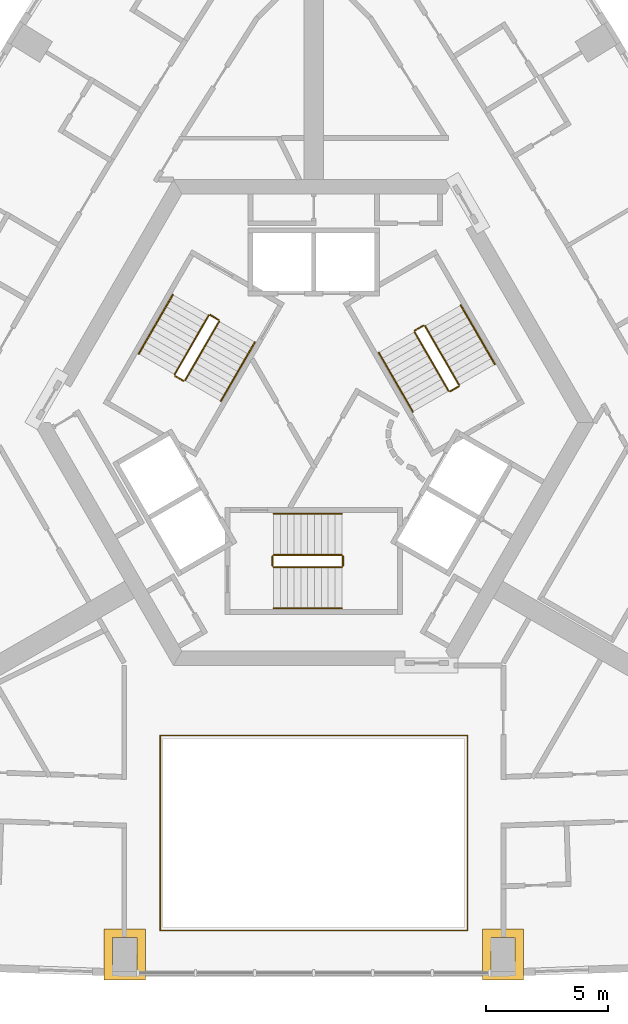
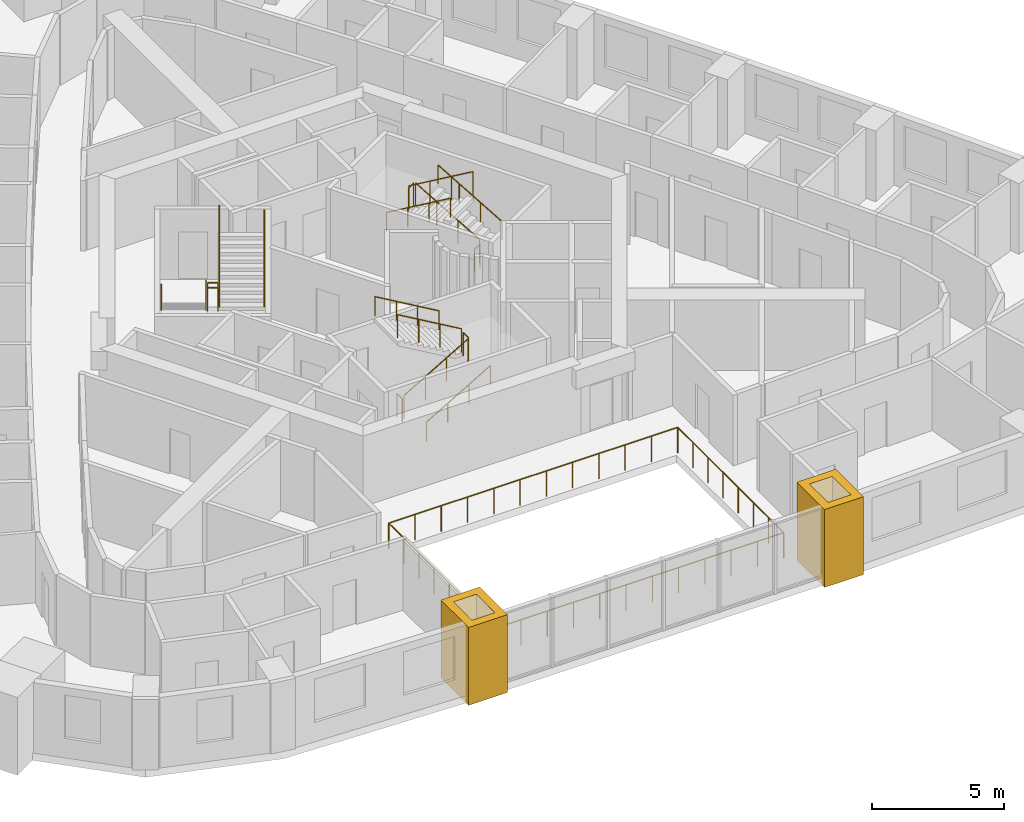
# One storey, part 12 of 12: 19 railings, 2 coverings.
"""IFC4 building model written with IfcOpenShell, lengths in metres."""

from ifc_helpers import new_model, si_unit, direction, frame, origin, origin_2d, place, context, subcontext, project, spatial, polyline, circle, outline, extrude, material, type_object, element, save


model = new_model("IFC4")

# Units and contexts
model_context = context("Model", 3, precision=1e-05, world=origin(), true_north=direction((0.0, 1.0)))
body_context = subcontext(model_context, "Body", "Model", "MODEL_VIEW")
ifc_project = project(units=[si_unit("LENGTHUNIT", "METRE"), si_unit("AREAUNIT", "SQUARE_METRE"), si_unit("VOLUMEUNIT", "CUBIC_METRE"), si_unit("PLANEANGLEUNIT", "RADIAN"), si_unit("MASSUNIT", "GRAM", prefix="KILO")], contexts=[model_context])

# Site, building, storey
site_placement = place(None, origin())
site = spatial("IfcSite", under=ifc_project, at=site_placement, CompositionType="ELEMENT")
building_placement = place(site_placement, origin())
building = spatial("IfcBuilding", under=site, at=building_placement, Name="Entoto Arch Interchange Tower", CompositionType="ELEMENT")
storey_placement = place(building_placement, frame((0.0, 0.0, 255.800048828125)))
storey = spatial("IfcBuildingStorey", under=building, at=storey_placement, Name="L58", CompositionType="ELEMENT", Elevation=255.800048828125)

# Railing
ifc_material_1 = material(Name="Stainless steel 1.4301", Category="steel")
railing_type_1 = type_object("IfcRailingType", Name="ATRIUM GUARD 1200 STEEL AND GLASS", PredefinedType="GUARDRAIL", material=ifc_material_1)
railing_1_placement = place(storey_placement, frame((6.320068359375, -18.408935546875, 0.0)))
element("IfcRailing", 1, at=railing_1_placement, inside=storey, type_object=railing_type_1, Name="Atrium guard L58", PredefinedType="GUARDRAIL", context=body_context, shape_type="SweptSolid", body=[
    extrude(circle(Radius=0.02392578125, at=origin_2d()), frame((0.0, 0.0, 1.17578125), z_axis=(-1.0, 0.0, 0.0), x_axis=(0.0, -1.0, 0.0)), (0.0, 0.0, 1.0), 12.64013671875),
    extrude(circle(Radius=0.02392578125, at=origin_2d()), frame((-12.64013671875, 0.0, 1.17578125), z_axis=(0.0, 1.0, 0.0), x_axis=(-1.0, 0.0, 0.0)), (0.0, 0.0, 1.0), 8.029052734375),
    extrude(circle(Radius=0.02392578125, at=origin_2d()), frame((-12.64013671875, 8.029052734375, 1.17578125), z_axis=(1.0, 0.0, 0.0), x_axis=(0.0, 1.0, 0.0)), (0.0, 0.0, 1.0), 12.64013671875),
    extrude(circle(Radius=0.02392578125, at=origin_2d()), frame((0.0, 8.029052734375, 1.17578125), z_axis=(0.0, -1.0, 0.0), x_axis=(1.0, 0.0, 0.0)), (0.0, 0.0, 1.0), 8.029052734375),
    extrude(circle(Radius=0.02099609375, at=origin_2d()), origin(), (0.0, 0.0, 1.0), 1.15185546875),
    extrude(circle(Radius=0.02099609375, at=origin_2d()), frame((-1.149169921875, 0.0, 0.0)), (0.0, 0.0, 1.0), 1.15185546875),
    extrude(circle(Radius=0.02099609375, at=origin_2d()), frame((-2.298095703125, 0.0, 0.0)), (0.0, 0.0, 1.0), 1.15185546875),
    extrude(circle(Radius=0.02099609375, at=origin_2d()), frame((-3.447265625, 0.0, 0.0)), (0.0, 0.0, 1.0), 1.15185546875),
    extrude(circle(Radius=0.02099609375, at=origin_2d()), frame((-4.596435546875, 0.0, 0.0)), (0.0, 0.0, 1.0), 1.15185546875),
    extrude(circle(Radius=0.02099609375, at=origin_2d()), frame((-5.74560546875, 0.0, 0.0)), (0.0, 0.0, 1.0), 1.15185546875),
    extrude(circle(Radius=0.02099609375, at=origin_2d()), frame((-6.89453125, 0.0, 0.0)), (0.0, 0.0, 1.0), 1.15185546875),
    extrude(circle(Radius=0.02099609375, at=origin_2d()), frame((-8.043701171875, 0.0, 0.0)), (0.0, 0.0, 1.0), 1.15185546875),
    extrude(circle(Radius=0.02099609375, at=origin_2d()), frame((-9.19287109375, 0.0, 0.0)), (0.0, 0.0, 1.0), 1.15185546875),
    extrude(circle(Radius=0.02099609375, at=origin_2d()), frame((-10.342041015625, 0.0, 0.0)), (0.0, 0.0, 1.0), 1.15185546875),
    extrude(circle(Radius=0.02099609375, at=origin_2d()), frame((-11.490966796875, 0.0, 0.0)), (0.0, 0.0, 1.0), 1.15185546875),
    extrude(circle(Radius=0.02099609375, at=origin_2d()), frame((-12.64013671875, 0.0, 0.0)), (0.0, 0.0, 1.0), 1.15185546875),
    extrude(circle(Radius=0.02099609375, at=origin_2d()), frame((-12.64013671875, 1.14697265625, 0.0)), (0.0, 0.0, 1.0), 1.15185546875),
    extrude(circle(Radius=0.02099609375, at=origin_2d()), frame((-12.64013671875, 2.2939453125, 0.0)), (0.0, 0.0, 1.0), 1.15185546875),
    extrude(circle(Radius=0.02099609375, at=origin_2d()), frame((-12.64013671875, 3.44091796875, 0.0)), (0.0, 0.0, 1.0), 1.15185546875),
    extrude(circle(Radius=0.02099609375, at=origin_2d()), frame((-12.64013671875, 4.588134765625, 0.0)), (0.0, 0.0, 1.0), 1.15185546875),
    extrude(circle(Radius=0.02099609375, at=origin_2d()), frame((-12.64013671875, 5.735107421875, 0.0)), (0.0, 0.0, 1.0), 1.15185546875),
    extrude(circle(Radius=0.02099609375, at=origin_2d()), frame((-12.64013671875, 6.882080078125, 0.0)), (0.0, 0.0, 1.0), 1.15185546875),
    extrude(circle(Radius=0.02099609375, at=origin_2d()), frame((-12.64013671875, 8.029052734375, 0.0)), (0.0, 0.0, 1.0), 1.15185546875),
    extrude(circle(Radius=0.02099609375, at=origin_2d()), frame((-11.490966796875, 8.029052734375, 0.0)), (0.0, 0.0, 1.0), 1.15185546875),
    extrude(circle(Radius=0.02099609375, at=origin_2d()), frame((-10.342041015625, 8.029052734375, 0.0)), (0.0, 0.0, 1.0), 1.15185546875),
    extrude(circle(Radius=0.02099609375, at=origin_2d()), frame((-9.19287109375, 8.029052734375, 0.0)), (0.0, 0.0, 1.0), 1.15185546875),
    extrude(circle(Radius=0.02099609375, at=origin_2d()), frame((-8.043701171875, 8.029052734375, 0.0)), (0.0, 0.0, 1.0), 1.15185546875),
    extrude(circle(Radius=0.02099609375, at=origin_2d()), frame((-6.89453125, 8.029052734375, 0.0)), (0.0, 0.0, 1.0), 1.15185546875),
    extrude(circle(Radius=0.02099609375, at=origin_2d()), frame((-5.74560546875, 8.029052734375, 0.0)), (0.0, 0.0, 1.0), 1.15185546875),
    extrude(circle(Radius=0.02099609375, at=origin_2d()), frame((-4.596435546875, 8.029052734375, 0.0)), (0.0, 0.0, 1.0), 1.15185546875),
    extrude(circle(Radius=0.02099609375, at=origin_2d()), frame((-3.447265625, 8.029052734375, 0.0)), (0.0, 0.0, 1.0), 1.15185546875),
    extrude(circle(Radius=0.02099609375, at=origin_2d()), frame((-2.298095703125, 8.029052734375, 0.0)), (0.0, 0.0, 1.0), 1.15185546875),
    extrude(circle(Radius=0.02099609375, at=origin_2d()), frame((-1.149169921875, 8.029052734375, 0.0)), (0.0, 0.0, 1.0), 1.15185546875),
    extrude(circle(Radius=0.02099609375, at=origin_2d()), frame((0.0, 8.029052734375, 0.0)), (0.0, 0.0, 1.0), 1.15185546875),
    extrude(circle(Radius=0.02099609375, at=origin_2d()), frame((0.0, 6.882080078125, 0.0)), (0.0, 0.0, 1.0), 1.15185546875),
    extrude(circle(Radius=0.02099609375, at=origin_2d()), frame((0.0, 5.735107421875, 0.0)), (0.0, 0.0, 1.0), 1.15185546875),
    extrude(circle(Radius=0.02099609375, at=origin_2d()), frame((0.0, 4.588134765625, 0.0)), (0.0, 0.0, 1.0), 1.15185546875),
    extrude(circle(Radius=0.02099609375, at=origin_2d()), frame((0.0, 3.44091796875, 0.0)), (0.0, 0.0, 1.0), 1.15185546875),
    extrude(circle(Radius=0.02099609375, at=origin_2d()), frame((0.0, 2.2939453125, 0.0)), (0.0, 0.0, 1.0), 1.15185546875),
    extrude(circle(Radius=0.02099609375, at=origin_2d()), frame((0.0, 1.14697265625, 0.0)), (0.0, 0.0, 1.0), 1.15185546875),
])

# Coverings
ifc_material_2 = material(Name="Board-marked precast concrete C50/60", Category="concrete")
covering_type = type_object("IfcCoveringType", Name="PRECAST FRAME COURSE", PredefinedType="CLADDING", material=ifc_material_2)
covering_1_placement = place(storey_placement, frame((0.0, 0.0, -0.340087890625)))
element("IfcCovering", 2, at=covering_1_placement, inside=storey, type_object=covering_type, Name="Gate pier L58", PredefinedType="CLADDING", context=body_context, shape_type="SweptSolid", body=[
    extrude(outline(polyline([(-8.634033203125, -18.339111328125), (-6.93408203125, -18.339111328125), (-6.93408203125, -20.43896484375), (-8.634033203125, -20.43896484375), (-8.634033203125, -18.339111328125)]), holes=[polyline([(-8.283935546875, -18.68896484375), (-8.283935546875, -20.089111328125), (-7.283935546875, -20.089111328125), (-7.283935546875, -18.68896484375), (-8.283935546875, -18.68896484375)])]), origin(), (0.0, 0.0, 1.0), 3.60009765625),
])
covering_2_placement = place(storey_placement, frame((0.0, 0.0, -0.340087890625)))
element("IfcCovering", 3, at=covering_2_placement, inside=storey, type_object=covering_type, Name="Gate pier L58", PredefinedType="CLADDING", context=body_context, shape_type="SweptSolid", body=[
    extrude(outline(polyline([(6.93408203125, -18.339111328125), (8.634033203125, -18.339111328125), (8.634033203125, -20.43896484375), (6.93408203125, -20.43896484375), (6.93408203125, -18.339111328125)]), holes=[polyline([(7.283935546875, -18.68896484375), (7.283935546875, -20.089111328125), (8.283935546875, -20.089111328125), (8.283935546875, -18.68896484375), (7.283935546875, -18.68896484375)])]), origin(), (0.0, 0.0, 1.0), 3.60009765625),
])

# Railings
railing_type_2 = type_object("IfcRailingType", Name="STAIR GUARD 1100 STEEL", PredefinedType="GUARDRAIL", material=ifc_material_1)
railing_2_placement = place(storey_placement, frame((-1.64990234375, -3.449951171875, 0.16357421875)))
element("IfcRailing", 4, at=railing_2_placement, inside=storey, type_object=railing_type_2, Name="L58 ST-S stair guard 1", PredefinedType="GUARDRAIL", context=body_context, shape_type="SweptSolid", body=[
    extrude(circle(Radius=0.02392578125, at=origin_2d()), frame((0.0, 0.0, 1.076171875), z_axis=(0.863341702679, 0.0, 0.504619762213), x_axis=(0.0, 1.0, 0.0)), (0.0, 0.0, 1.0), 3.242919921875),
    extrude(circle(Radius=0.02099609375, at=origin_2d()), origin(), (0.0, 0.0, 1.0), 1.052001953125),
    extrude(circle(Radius=0.02099609375, at=origin_2d()), frame((0.933349609375, 0.0, 0.54541015625)), (0.0, 0.0, 1.0), 1.052001953125),
    extrude(circle(Radius=0.02099609375, at=origin_2d()), frame((1.866455078125, 0.0, 1.091064453125)), (0.0, 0.0, 1.0), 1.052001953125),
    extrude(circle(Radius=0.02099609375, at=origin_2d()), frame((2.7998046875, 0.0, 1.636474609375)), (0.0, 0.0, 1.0), 1.052001953125),
])
railing_3_placement = place(storey_placement, frame((1.199951171875, -3.39990234375, 1.800048828125)))
element("IfcRailing", 5, at=railing_3_placement, inside=storey, type_object=railing_type_2, Name="L58 ST-S stair guard 2", PredefinedType="GUARDRAIL", context=body_context, shape_type="SweptSolid", body=[
    extrude(circle(Radius=0.02392578125, at=origin_2d()), frame((0.0, 0.0, 1.076171875), z_axis=(0.0, 1.0, 0.0), x_axis=(-1.0, 0.0, 0.0)), (0.0, 0.0, 1.0), 0.39990234375),
    extrude(circle(Radius=0.02099609375, at=origin_2d()), origin(), (0.0, 0.0, 1.0), 1.052001953125),
    extrude(circle(Radius=0.02099609375, at=origin_2d()), frame((0.0, 0.39990234375, 0.0)), (0.0, 0.0, 1.0), 1.052001953125),
])
railing_4_placement = place(storey_placement, frame((1.14990234375, -2.949951171875, 1.963623046875)))
element("IfcRailing", 6, at=railing_4_placement, inside=storey, type_object=railing_type_2, Name="L58 ST-S stair guard 3", PredefinedType="GUARDRAIL", context=body_context, shape_type="SweptSolid", body=[
    extrude(circle(Radius=0.02392578125, at=origin_2d()), frame((0.0, 0.0, 1.076171875), z_axis=(-0.863374499697, 0.0, 0.504563646405), x_axis=(0.0, -1.0, 0.0)), (0.0, 0.0, 1.0), 3.242919921875),
    extrude(circle(Radius=0.02099609375, at=origin_2d()), origin(), (0.0, 0.0, 1.0), 1.052001953125),
    extrude(circle(Radius=0.02099609375, at=origin_2d()), frame((-0.933349609375, 0.0, 0.54541015625)), (0.0, 0.0, 1.0), 1.052001953125),
    extrude(circle(Radius=0.02099609375, at=origin_2d()), frame((-1.866455078125, 0.0, 1.0908203125)), (0.0, 0.0, 1.0), 1.052001953125),
    extrude(circle(Radius=0.02099609375, at=origin_2d()), frame((-2.7998046875, 0.0, 1.63623046875)), (0.0, 0.0, 1.0), 1.052001953125),
])
railing_5_placement = place(storey_placement, frame((-1.699951171875, -3.39990234375, 0.0)))
element("IfcRailing", 7, at=railing_5_placement, inside=storey, type_object=railing_type_2, Name="L58 ST-S stair guard 4", PredefinedType="GUARDRAIL", context=body_context, shape_type="SweptSolid", body=[
    extrude(circle(Radius=0.02392578125, at=origin_2d()), frame((0.0, 0.0, 1.076171875), z_axis=(0.0, 1.0, 0.0), x_axis=(-1.0, 0.0, 0.0)), (0.0, 0.0, 1.0), 0.39990234375),
    extrude(circle(Radius=0.02099609375, at=origin_2d()), origin(), (0.0, 0.0, 1.0), 1.052001953125),
    extrude(circle(Radius=0.02099609375, at=origin_2d()), frame((0.0, 0.39990234375, 0.0)), (0.0, 0.0, 1.0), 1.052001953125),
])
railing_6_placement = place(storey_placement, frame((5.977783203125, 4.046142578125, 0.16357421875)))
element("IfcRailing", 8, at=railing_6_placement, inside=storey, type_object=railing_type_2, Name="L58 ST-NE stair guard 1", PredefinedType="GUARDRAIL", context=body_context, shape_type="SweptSolid", body=[
    extrude(circle(Radius=0.02392578125, at=origin_2d()), frame((0.0, 0.0, 1.076171875), z_axis=(-0.431660630283, 0.747689811644, 0.504607813879), x_axis=(-0.866034573852, -0.49998411664, 0.0)), (0.0, 0.0, 1.0), 3.2431640625),
    extrude(circle(Radius=0.02099609375, at=origin_2d()), origin(), (0.0, 0.0, 1.0), 1.052001953125),
    extrude(circle(Radius=0.02099609375, at=origin_2d()), frame((-0.466552734375, 0.808349609375, 0.54541015625)), (0.0, 0.0, 1.0), 1.052001953125),
    extrude(circle(Radius=0.02099609375, at=origin_2d()), frame((-0.933349609375, 1.616455078125, 1.091064453125)), (0.0, 0.0, 1.0), 1.052001953125),
    extrude(circle(Radius=0.02099609375, at=origin_2d()), frame((-1.39990234375, 2.4248046875, 1.636474609375)), (0.0, 0.0, 1.0), 1.052001953125),
])
railing_7_placement = place(storey_placement, frame((4.509521484375, 6.4892578125, 1.800048828125)))
element("IfcRailing", 9, at=railing_7_placement, inside=storey, type_object=railing_type_2, Name="L58 ST-NE stair guard 2", PredefinedType="GUARDRAIL", context=body_context, shape_type="SweptSolid", body=[
    extrude(circle(Radius=0.02392578125, at=origin_2d()), frame((0.0, 0.0, 1.076171875), z_axis=(-0.866094119867, -0.499880961361, 0.0), x_axis=(0.499880961361, -0.866094119867, 0.0)), (0.0, 0.0, 1.0), 0.39990234375),
    extrude(circle(Radius=0.02099609375, at=origin_2d()), origin(), (0.0, 0.0, 1.0), 1.052001953125),
    extrude(circle(Radius=0.02099609375, at=origin_2d()), frame((-0.346435546875, -0.199951171875, 0.0)), (0.0, 0.0, 1.0), 1.052001953125),
])
railing_8_placement = place(storey_placement, frame((4.144775390625, 6.220947265625, 1.963623046875)))
element("IfcRailing", 10, at=railing_8_placement, inside=storey, type_object=railing_type_2, Name="L58 ST-NE stair guard 3", PredefinedType="GUARDRAIL", context=body_context, shape_type="SweptSolid", body=[
    extrude(circle(Radius=0.02392578125, at=origin_2d()), frame((0.0, 0.0, 1.076171875), z_axis=(0.431738279637, -0.747693913401, 0.504535300807), x_axis=(0.865996816683, 0.500049511043, 0.0)), (0.0, 0.0, 1.0), 3.2431640625),
    extrude(circle(Radius=0.02099609375, at=origin_2d()), origin(), (0.0, 0.0, 1.0), 1.052001953125),
    extrude(circle(Radius=0.02099609375, at=origin_2d()), frame((0.466796875, -0.808349609375, 0.54541015625)), (0.0, 0.0, 1.0), 1.052001953125),
    extrude(circle(Radius=0.02099609375, at=origin_2d()), frame((0.933349609375, -1.616455078125, 1.0908203125)), (0.0, 0.0, 1.0), 1.052001953125),
    extrude(circle(Radius=0.02099609375, at=origin_2d()), frame((1.400146484375, -2.4248046875, 1.63623046875)), (0.0, 0.0, 1.0), 1.052001953125),
])
railing_9_placement = place(storey_placement, frame((5.95947265625, 3.977783203125, 0.0)))
element("IfcRailing", 11, at=railing_9_placement, inside=storey, type_object=railing_type_2, Name="L58 ST-NE stair guard 4", PredefinedType="GUARDRAIL", context=body_context, shape_type="SweptSolid", body=[
    extrude(circle(Radius=0.02392578125, at=origin_2d()), frame((0.0, 0.0, 1.076171875), z_axis=(-0.866094119867, -0.499880961361, 0.0), x_axis=(0.499880961361, -0.866094119867, 0.0)), (0.0, 0.0, 1.0), 0.39990234375),
    extrude(circle(Radius=0.02099609375, at=origin_2d()), origin(), (0.0, 0.0, 1.0), 1.052001953125),
    extrude(circle(Radius=0.02099609375, at=origin_2d()), frame((-0.346435546875, -0.199951171875, 0.0)), (0.0, 0.0, 1.0), 1.052001953125),
])
railing_10_placement = place(storey_placement, frame((-4.327880859375, 6.904052734375, 0.16357421875)))
element("IfcRailing", 12, at=railing_10_placement, inside=storey, type_object=railing_type_2, Name="L58 ST-NW stair guard 1", PredefinedType="GUARDRAIL", context=body_context, shape_type="SweptSolid", body=[
    extrude(circle(Radius=0.02392578125, at=origin_2d()), frame((0.0, 0.0, 1.076171875), z_axis=(-0.431636334334, -0.747723004699, 0.504579412111), x_axis=(0.866056369097, -0.49994636267, 0.0)), (0.0, 0.0, 1.0), 3.2431640625),
    extrude(circle(Radius=0.02099609375, at=origin_2d()), origin(), (0.0, 0.0, 1.0), 1.052001953125),
    extrude(circle(Radius=0.02099609375, at=origin_2d()), frame((-0.466552734375, -0.808349609375, 0.54541015625)), (0.0, 0.0, 1.0), 1.052001953125),
    extrude(circle(Radius=0.02099609375, at=origin_2d()), frame((-0.933349609375, -1.61669921875, 1.091064453125)), (0.0, 0.0, 1.0), 1.052001953125),
    extrude(circle(Radius=0.02099609375, at=origin_2d()), frame((-1.39990234375, -2.425048828125, 1.636474609375)), (0.0, 0.0, 1.0), 1.052001953125),
])
railing_11_placement = place(storey_placement, frame((-5.70947265625, 4.410888671875, 1.800048828125)))
element("IfcRailing", 13, at=railing_11_placement, inside=storey, type_object=railing_type_2, Name="L58 ST-NW stair guard 2", PredefinedType="GUARDRAIL", context=body_context, shape_type="SweptSolid", body=[
    extrude(circle(Radius=0.02392578125, at=origin_2d()), frame((0.0, 0.0, 1.076171875), z_axis=(0.865829829939, -0.500338590944, 0.0), x_axis=(0.500338590944, 0.865829829939, 0.0)), (0.0, 0.0, 1.0), 0.400146484375),
    extrude(circle(Radius=0.02099609375, at=origin_2d()), origin(), (0.0, 0.0, 1.0), 1.052001953125),
    extrude(circle(Radius=0.02099609375, at=origin_2d()), frame((0.346435546875, -0.2001953125, 0.0)), (0.0, 0.0, 1.0), 1.052001953125),
])
railing_12_placement = place(storey_placement, frame((-5.294921875, 4.22900390625, 1.963623046875)))
element("IfcRailing", 14, at=railing_12_placement, inside=storey, type_object=railing_type_2, Name="L58 ST-NW stair guard 3", PredefinedType="GUARDRAIL", context=body_context, shape_type="SweptSolid", body=[
    extrude(circle(Radius=0.02392578125, at=origin_2d()), frame((0.0, 0.0, 1.076171875), z_axis=(0.431713979052, 0.747727106176, 0.504506902808), x_axis=(-0.866018616679, 0.500011755427, 0.0)), (0.0, 0.0, 1.0), 3.2431640625),
    extrude(circle(Radius=0.02099609375, at=origin_2d()), origin(), (0.0, 0.0, 1.0), 1.052001953125),
    extrude(circle(Radius=0.02099609375, at=origin_2d()), frame((0.466796875, 0.808349609375, 0.54541015625)), (0.0, 0.0, 1.0), 1.052001953125),
    extrude(circle(Radius=0.02099609375, at=origin_2d()), frame((0.933349609375, 1.61669921875, 1.0908203125)), (0.0, 0.0, 1.0), 1.052001953125),
    extrude(circle(Radius=0.02099609375, at=origin_2d()), frame((1.400146484375, 2.425048828125, 1.63623046875)), (0.0, 0.0, 1.0), 1.052001953125),
])
railing_13_placement = place(storey_placement, frame((-4.259521484375, 6.92236328125, 0.0)))
element("IfcRailing", 15, at=railing_13_placement, inside=storey, type_object=railing_type_2, Name="L58 ST-NW stair guard 4", PredefinedType="GUARDRAIL", context=body_context, shape_type="SweptSolid", body=[
    extrude(circle(Radius=0.02392578125, at=origin_2d()), frame((0.0, 0.0, 1.076171875), z_axis=(0.865829829939, -0.500338590944, 0.0), x_axis=(0.500338590944, 0.865829829939, 0.0)), (0.0, 0.0, 1.0), 0.400146484375),
    extrude(circle(Radius=0.02099609375, at=origin_2d()), origin(), (0.0, 0.0, 1.0), 1.052001953125),
    extrude(circle(Radius=0.02099609375, at=origin_2d()), frame((0.346435546875, -0.2001953125, 0.0)), (0.0, 0.0, 1.0), 1.052001953125),
])
railing_type_3 = type_object("IfcRailingType", Name="STAIR HANDRAIL 900 STEEL", PredefinedType="HANDRAIL", material=ifc_material_1)
railing_14_placement = place(storey_placement, frame((-1.64990234375, -5.14990234375, 0.16357421875)))
element("IfcRailing", 16, at=railing_14_placement, inside=storey, type_object=railing_type_3, Name="L58 ST-S stair handrail 1", PredefinedType="HANDRAIL", context=body_context, shape_type="SweptSolid", body=[
    extrude(circle(Radius=0.02392578125, at=origin_2d()), frame((0.0, 0.0, 0.8759765625), z_axis=(0.863341702679, 0.0, 0.504619762213), x_axis=(0.0, 1.0, 0.0)), (0.0, 0.0, 1.0), 3.242919921875),
    extrude(circle(Radius=0.02099609375, at=origin_2d()), origin(), (0.0, 0.0, 1.0), 0.851806640625),
    extrude(circle(Radius=0.02099609375, at=origin_2d()), frame((0.933349609375, 0.0, 0.54541015625)), (0.0, 0.0, 1.0), 0.851806640625),
    extrude(circle(Radius=0.02099609375, at=origin_2d()), frame((1.866455078125, 0.0, 1.091064453125)), (0.0, 0.0, 1.0), 0.851806640625),
    extrude(circle(Radius=0.02099609375, at=origin_2d()), frame((2.7998046875, 0.0, 1.636474609375)), (0.0, 0.0, 1.0), 0.851806640625),
])
railing_15_placement = place(storey_placement, frame((1.14990234375, -1.25, 1.963623046875)))
element("IfcRailing", 17, at=railing_15_placement, inside=storey, type_object=railing_type_3, Name="L58 ST-S stair handrail 2", PredefinedType="HANDRAIL", context=body_context, shape_type="SweptSolid", body=[
    extrude(circle(Radius=0.02392578125, at=origin_2d()), frame((0.0, 0.0, 0.8759765625), z_axis=(-0.863374499697, 0.0, 0.504563646405), x_axis=(0.0, -1.0, 0.0)), (0.0, 0.0, 1.0), 3.242919921875),
    extrude(circle(Radius=0.02099609375, at=origin_2d()), origin(), (0.0, 0.0, 1.0), 0.851806640625),
    extrude(circle(Radius=0.02099609375, at=origin_2d()), frame((-0.933349609375, 0.0, 0.54541015625)), (0.0, 0.0, 1.0), 0.851806640625),
    extrude(circle(Radius=0.02099609375, at=origin_2d()), frame((-1.866455078125, 0.0, 1.0908203125)), (0.0, 0.0, 1.0), 0.851806640625),
    extrude(circle(Radius=0.02099609375, at=origin_2d()), frame((-2.7998046875, 0.0, 1.63623046875)), (0.0, 0.0, 1.0), 0.851806640625),
])
railing_16_placement = place(storey_placement, frame((7.4501953125, 4.89599609375, 0.16357421875)))
element("IfcRailing", 18, at=railing_16_placement, inside=storey, type_object=railing_type_3, Name="L58 ST-NE stair handrail 1", PredefinedType="HANDRAIL", context=body_context, shape_type="SweptSolid", body=[
    extrude(circle(Radius=0.02392578125, at=origin_2d()), frame((0.0, 0.0, 0.8759765625), z_axis=(-0.431697583215, 0.747698708645, 0.504563016616), x_axis=(-0.866018616679, -0.500011755427, 0.0)), (0.0, 0.0, 1.0), 3.243408203125),
    extrude(circle(Radius=0.02099609375, at=origin_2d()), origin(), (0.0, 0.0, 1.0), 0.851806640625),
    extrude(circle(Radius=0.02099609375, at=origin_2d()), frame((-0.466796875, 0.808349609375, 0.54541015625)), (0.0, 0.0, 1.0), 0.851806640625),
    extrude(circle(Radius=0.02099609375, at=origin_2d()), frame((-0.933349609375, 1.61669921875, 1.091064453125)), (0.0, 0.0, 1.0), 0.851806640625),
    extrude(circle(Radius=0.02099609375, at=origin_2d()), frame((-1.400146484375, 2.425048828125, 1.636474609375)), (0.0, 0.0, 1.0), 0.851806640625),
])
railing_17_placement = place(storey_placement, frame((2.672607421875, 5.370849609375, 1.963623046875)))
element("IfcRailing", 19, at=railing_17_placement, inside=storey, type_object=railing_type_3, Name="L58 ST-NE stair handrail 2", PredefinedType="HANDRAIL", context=body_context, shape_type="SweptSolid", body=[
    extrude(circle(Radius=0.02392578125, at=origin_2d()), frame((0.0, 0.0, 0.8759765625), z_axis=(0.431677027627, -0.74771821388, 0.504551698492), x_axis=(0.866034573852, 0.49998411664, 0.0)), (0.0, 0.0, 1.0), 3.242919921875),
    extrude(circle(Radius=0.02099609375, at=origin_2d()), origin(), (0.0, 0.0, 1.0), 0.851806640625),
    extrude(circle(Radius=0.02099609375, at=origin_2d()), frame((0.466552734375, -0.808349609375, 0.54541015625)), (0.0, 0.0, 1.0), 0.851806640625),
    extrude(circle(Radius=0.02099609375, at=origin_2d()), frame((0.933349609375, -1.616455078125, 1.0908203125)), (0.0, 0.0, 1.0), 0.851806640625),
    extrude(circle(Radius=0.02099609375, at=origin_2d()), frame((1.39990234375, -2.4248046875, 1.63623046875)), (0.0, 0.0, 1.0), 0.851806640625),
])
railing_18_placement = place(storey_placement, frame((-5.800048828125, 7.75390625, 0.16357421875)))
element("IfcRailing", 20, at=railing_18_placement, inside=storey, type_object=railing_type_3, Name="L58 ST-NW stair handrail 1", PredefinedType="HANDRAIL", context=body_context, shape_type="SweptSolid", body=[
    extrude(circle(Radius=0.02392578125, at=origin_2d()), frame((0.0, 0.0, 0.8759765625), z_axis=(-0.431721881032, -0.747665513933, 0.504591415616), x_axis=(0.865996816683, -0.500049511043, 0.0)), (0.0, 0.0, 1.0), 3.2431640625),
    extrude(circle(Radius=0.02099609375, at=origin_2d()), origin(), (0.0, 0.0, 1.0), 0.851806640625),
    extrude(circle(Radius=0.02099609375, at=origin_2d()), frame((-0.466796875, -0.808349609375, 0.54541015625)), (0.0, 0.0, 1.0), 0.851806640625),
    extrude(circle(Radius=0.02099609375, at=origin_2d()), frame((-0.933349609375, -1.616455078125, 1.091064453125)), (0.0, 0.0, 1.0), 0.851806640625),
    extrude(circle(Radius=0.02099609375, at=origin_2d()), frame((-1.400146484375, -2.4248046875, 1.636474609375)), (0.0, 0.0, 1.0), 0.851806640625),
])
railing_19_placement = place(storey_placement, frame((-3.822509765625, 3.379150390625, 1.963623046875)))
element("IfcRailing", 21, at=railing_19_placement, inside=storey, type_object=railing_type_3, Name="L58 ST-NW stair handrail 2", PredefinedType="HANDRAIL", context=body_context, shape_type="SweptSolid", body=[
    extrude(circle(Radius=0.02392578125, at=origin_2d()), frame((0.0, 0.0, 0.8759765625), z_axis=(0.431677027627, 0.74771821388, 0.504551698492), x_axis=(-0.866034573852, 0.49998411664, 0.0)), (0.0, 0.0, 1.0), 3.242919921875),
    extrude(circle(Radius=0.02099609375, at=origin_2d()), origin(), (0.0, 0.0, 1.0), 0.851806640625),
    extrude(circle(Radius=0.02099609375, at=origin_2d()), frame((0.466552734375, 0.808349609375, 0.54541015625)), (0.0, 0.0, 1.0), 0.851806640625),
    extrude(circle(Radius=0.02099609375, at=origin_2d()), frame((0.933349609375, 1.616455078125, 1.0908203125)), (0.0, 0.0, 1.0), 0.851806640625),
    extrude(circle(Radius=0.02099609375, at=origin_2d()), frame((1.39990234375, 2.4248046875, 1.63623046875)), (0.0, 0.0, 1.0), 0.851806640625),
])

save(model, "model.ifc")
